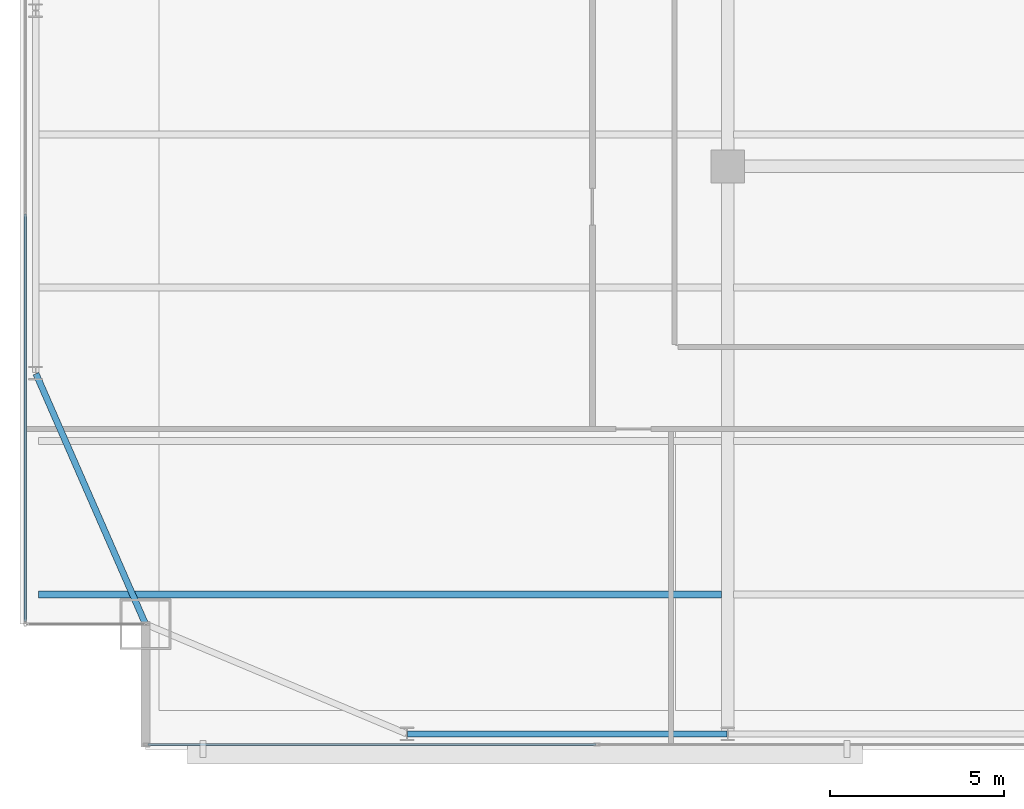
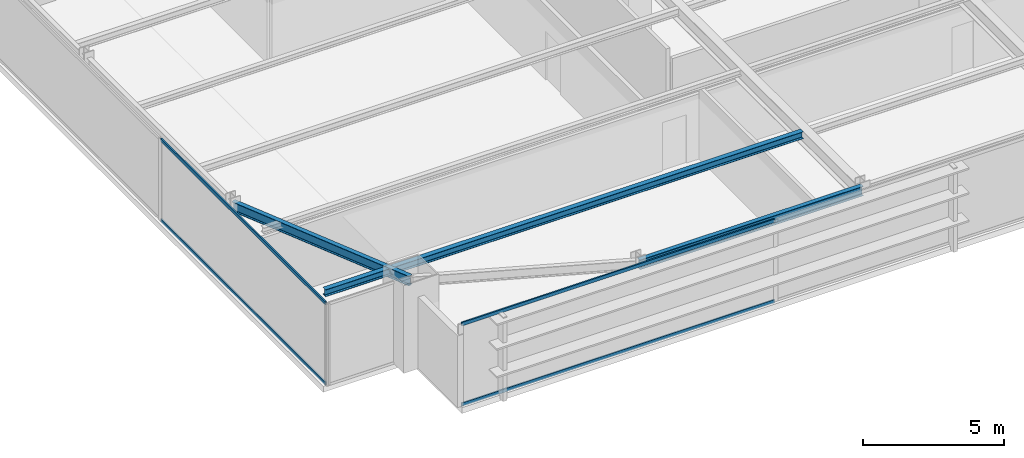
# One storey, part 5 of 30: 4 members, 3 beams, 2 elements without a shape of their own.
"""IFC4 building model written with IfcOpenShell, lengths in metres."""

from ifc_helpers import new_model, si_unit, direction, frame, origin, origin_2d, place, context, subcontext, project, spatial, hollow_rectangle, i_section, extrude, source, transform, mapped, material, layer, layer_set, material_profile, profile_set, type_object, type_shapes, element, aggregate, save


model = new_model("IFC4")

# Units and contexts
model_context = context("Model", 3, precision=1e-05, world=origin(), true_north=direction((0.0, 1.0)))
body_context = subcontext(model_context, "Body", "Model", "MODEL_VIEW")
ifc_project = project(units=[si_unit("LENGTHUNIT", "METRE"), si_unit("AREAUNIT", "SQUARE_METRE"), si_unit("VOLUMEUNIT", "CUBIC_METRE"), si_unit("PLANEANGLEUNIT", "RADIAN"), si_unit("MASSUNIT", "GRAM", prefix="KILO")], contexts=[model_context])

# Site, building, storey
site_placement = place(None, origin())
site = spatial("IfcSite", under=ifc_project, at=site_placement, CompositionType="ELEMENT")
building_placement = place(site_placement, origin())
building = spatial("IfcBuilding", under=site, at=building_placement, Name="Varnel Quay Broadcast Tower", CompositionType="ELEMENT")
storey_placement = place(building_placement, frame((0.0, 0.0, 122.0)))
storey = spatial("IfcBuildingStorey", under=building, at=storey_placement, Name="L29", CompositionType="ELEMENT", Elevation=122.0)

# Beams
ifc_material_1 = material(Name="Structural Steel CSA G40.21 350W", Category="steel")
ifc_material_profile_1 = material_profile(ifc_material_1, i_section(OverallWidth=0.180908203125, OverallDepth=0.4169921875, WebThickness=0.010986328125, FlangeThickness=0.018310546875, FilletRadius=0.011962890625, at=origin_2d()), Name="W410X85")
ifc_profile_set_1 = profile_set([ifc_material_profile_1], Name="Structural Steel CSA G40.21 350W")
beam_type_1 = type_object("IfcBeamType", Name="Beam_W410X85", PredefinedType="SPANDREL", material=ifc_profile_set_1)
shared_shape_1 = source(origin(), body_context, "Body", "SweptSolid", [
    extrude(i_section(OverallWidth=0.180908203125, OverallDepth=0.4169921875, WebThickness=0.010986328125, FlangeThickness=0.018310546875, FilletRadius=0.011962890625, at=origin_2d()), origin(), (0.0, 0.0, 1.0), 9.159912109375),
])
beam_1_placement = place(storey_placement, frame((15.6201171875, 4.64990234375, 3.341552734375), z_axis=(1.0, 0.0, 0.0), x_axis=(0.0, 1.0, 0.0)))
element("IfcBeam", 1, at=beam_1_placement, inside=storey, type_object=beam_type_1, Name="L29 South Spandrel TC-S1-TC-S2", PredefinedType="SPANDREL", context=body_context, shape_type="MappedRepresentation", body=[
    mapped(shared_shape_1, transform((0.0, 0.0, 0.0), x_axis=(1.0, 0.0, 0.0), y_axis=(0.0, 1.0, 0.0), z_axis=(0.0, 0.0, 1.0), scale=1.0)),
])
shared_shape_2 = source(origin(), body_context, "Body", "SweptSolid", [
    extrude(i_section(OverallWidth=0.180908203125, OverallDepth=0.4169921875, WebThickness=0.010986328125, FlangeThickness=0.018310546875, FilletRadius=0.011962890625, at=origin_2d()), origin(), (0.0, 0.0, 1.0), 7.81884765625),
])
type_shapes(beam_type_1, [shared_shape_1, shared_shape_2])
beam_2_placement = place(storey_placement, frame((8.092041015625, 7.818359375, 3.341552734375), z_axis=(-0.400827023998, 0.916153751743, 0.0), x_axis=(-0.916153751743, -0.400827023998, 0.0)))
element("IfcBeam", 2, at=beam_2_placement, inside=storey, type_object=beam_type_1, Name="L29 West Spandrel MC-SW-TC-W1", PredefinedType="SPANDREL", context=body_context, shape_type="MappedRepresentation", body=[
    mapped(shared_shape_2, transform((0.0, 0.0, 0.0), x_axis=(1.0, 0.0, 0.0), y_axis=(0.0, 1.0, 0.0), z_axis=(0.0, 0.0, 1.0), scale=1.0)),
])
ifc_material_profile_2 = material_profile(ifc_material_1, i_section(OverallWidth=0.202880859375, OverallDepth=0.302978515625, WebThickness=0.007568359375, FlangeThickness=0.01318359375, FilletRadius=0.011962890625, at=origin_2d()), Name="W310X60")
ifc_profile_set_2 = profile_set([ifc_material_profile_2], Name="Structural Steel CSA G40.21 350W")
beam_type_2 = type_object("IfcBeamType", Name="Beam_W310X60", PredefinedType="JOIST", material=ifc_profile_set_2)
shared_shape_3 = source(origin(), body_context, "Body", "SweptSolid", [
    extrude(i_section(OverallWidth=0.202880859375, OverallDepth=0.302978515625, WebThickness=0.007568359375, FlangeThickness=0.01318359375, FilletRadius=0.011962890625, at=origin_2d()), origin(), (0.0, 0.0, 1.0), 19.592041015625),
])
type_shapes(beam_type_2, [shared_shape_3])
beam_3_placement = place(storey_placement, frame((5.035400390625, 8.64990234375, 3.3984375), z_axis=(1.0, 0.0, 0.0), x_axis=(0.0, 1.0, 0.0)))
element("IfcBeam", 3, at=beam_3_placement, inside=storey, type_object=beam_type_2, Name="L29 West Floor Joist 1", PredefinedType="JOIST", context=body_context, shape_type="MappedRepresentation", body=[
    mapped(shared_shape_3, transform((0.0, 0.0, 0.0), x_axis=(1.0, 0.0, 0.0), y_axis=(0.0, 1.0, 0.0), z_axis=(0.0, 0.0, 1.0), scale=1.0)),
])

# Curtain wall, members
ifc_material_2 = material(Name="Anodised Bronze Aluminium 6063-T6", Category="aluminium")
ifc_layer = layer(ifc_material_2, 0.18994140625, Name="Anodised Bronze Aluminium 6063-T6")
ifc_layer_set = layer_set([ifc_layer], Name="Anodised Bronze Aluminium 6063-T6")
curtain_wall_type = type_object("IfcCurtainWallType", Name="CW_LowerTower", PredefinedType="NOTDEFINED", material=ifc_layer_set)
curtain_wall_1_placement = place(storey_placement, origin())
curtain_wall_1 = element("IfcCurtainWall", 4, at=curtain_wall_1_placement, inside=storey, type_object=curtain_wall_type, Name="L29 West Unitised Curtain Wall", PredefinedType="NOTDEFINED")
ifc_material_profile_3 = material_profile(ifc_material_2, hollow_rectangle(XDim=0.06005859375, YDim=0.14501953125, WallThickness=0.00341796875, at=origin_2d()), Name="ALU60X145X3.5")
ifc_profile_set_3 = profile_set([ifc_material_profile_3], Name="Anodised Bronze Aluminium 6063-T6")
member_type = type_object("IfcMemberType", Name="Tran_CWS-02", PredefinedType="USERDEFINED", material=ifc_profile_set_3)
shared_shape_4 = source(origin(), body_context, "Body", "SweptSolid", [
    extrude(hollow_rectangle(XDim=0.06005859375, YDim=0.14501953125, WallThickness=0.00341796875, at=origin_2d()), origin(), (0.0, 0.0, 1.0), 11.69482421875),
])
member_1_placement = place(storey_placement, frame((4.64990234375, 7.8701171875, 0.030029296875), z_axis=(0.0, 1.0, 0.0), x_axis=(-1.0, 0.0, 0.0)))
member_1 = element("IfcMember", 5, at=member_1_placement, type_object=member_type, Name="CWS-02 transom 1.1", ObjectType="TRANSOM", PredefinedType="USERDEFINED", context=body_context, shape_type="MappedRepresentation", body=[
    mapped(shared_shape_4, transform((0.0, 0.0, 0.0), x_axis=(1.0, 0.0, 0.0), y_axis=(0.0, 1.0, 0.0), z_axis=(0.0, 0.0, 1.0), scale=1.0)),
])
member_2_placement = place(storey_placement, frame((4.64990234375, 7.8701171875, 3.52001953125), z_axis=(0.0, 1.0, 0.0), x_axis=(-1.0, 0.0, 0.0)))
member_2 = element("IfcMember", 6, at=member_2_placement, type_object=member_type, Name="CWS-02 transom 1.2", ObjectType="TRANSOM", PredefinedType="USERDEFINED", context=body_context, shape_type="MappedRepresentation", body=[
    mapped(shared_shape_4, transform((0.0, 0.0, 0.0), x_axis=(1.0, 0.0, 0.0), y_axis=(0.0, 1.0, 0.0), z_axis=(0.0, 0.0, 1.0), scale=1.0)),
])
aggregate(curtain_wall_1, [member_1, member_2])

curtain_wall_2_placement = place(storey_placement, origin())
curtain_wall_2 = element("IfcCurtainWall", 7, at=curtain_wall_2_placement, inside=storey, type_object=curtain_wall_type, Name="L29 South Unitised Curtain Wall 1", PredefinedType="NOTDEFINED")
shared_shape_5 = source(origin(), body_context, "Body", "SweptSolid", [
    extrude(hollow_rectangle(XDim=0.06005859375, YDim=0.14501953125, WallThickness=0.00341796875, at=origin_2d()), origin(), (0.0, 0.0, 1.0), 12.844970703125),
])
type_shapes(member_type, [shared_shape_4, shared_shape_5])
member_3_placement = place(storey_placement, frame((8.169921875, 4.35009765625, 0.030029296875), z_axis=(1.0, 0.0, 0.0), x_axis=(0.0, 1.0, 0.0)))
member_3 = element("IfcMember", 8, at=member_3_placement, type_object=member_type, Name="CWS-02 transom 1.1", ObjectType="TRANSOM", PredefinedType="USERDEFINED", context=body_context, shape_type="MappedRepresentation", body=[
    mapped(shared_shape_5, transform((0.0, 0.0, 0.0), x_axis=(1.0, 0.0, 0.0), y_axis=(0.0, 1.0, 0.0), z_axis=(0.0, 0.0, 1.0), scale=1.0)),
])
member_4_placement = place(storey_placement, frame((8.169921875, 4.35009765625, 3.52001953125), z_axis=(1.0, 0.0, 0.0), x_axis=(0.0, 1.0, 0.0)))
member_4 = element("IfcMember", 9, at=member_4_placement, type_object=member_type, Name="CWS-02 transom 1.2", ObjectType="TRANSOM", PredefinedType="USERDEFINED", context=body_context, shape_type="MappedRepresentation", body=[
    mapped(shared_shape_5, transform((0.0, 0.0, 0.0), x_axis=(1.0, 0.0, 0.0), y_axis=(0.0, 1.0, 0.0), z_axis=(0.0, 0.0, 1.0), scale=1.0)),
])
aggregate(curtain_wall_2, [member_3, member_4])

save(model, "model.ifc")
